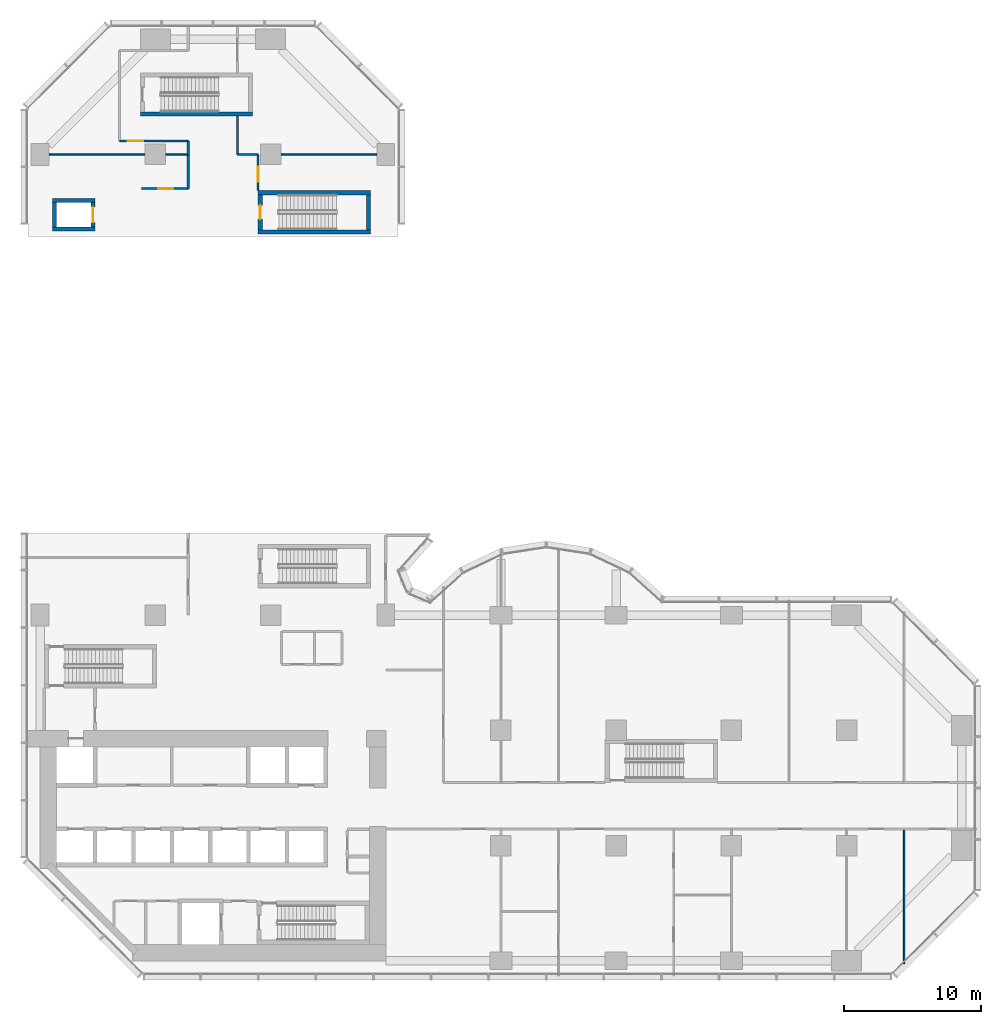
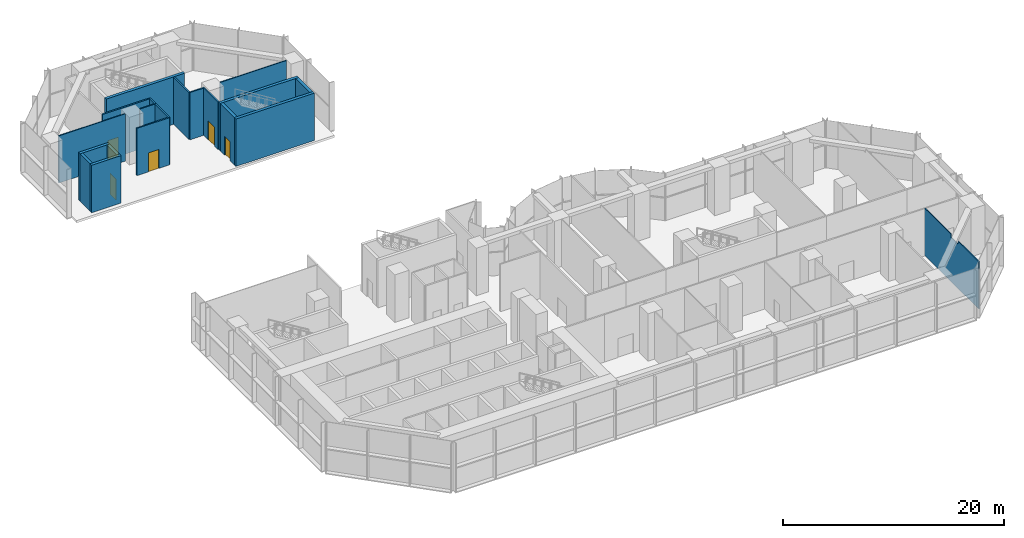
# One storey, part 11 of 16: 20 walls, 5 doors, 5 openings.
"""IFC4 building model written with IfcOpenShell, lengths in metres."""

from ifc_helpers import new_model, si_unit, direction, frame, frame_2d, origin, place, context, subcontext, project, spatial, polyline, rectangle, outline, extrude, material, layer, layer_set, type_object, element, fill, save


model = new_model("IFC4")

# Units and contexts
model_context = context("Model", 3, precision=1e-05, world=origin(), true_north=direction((0.0, 1.0)))
body_context = subcontext(model_context, "Body", "Model", "MODEL_VIEW")
ifc_project = project(units=[si_unit("LENGTHUNIT", "METRE"), si_unit("AREAUNIT", "SQUARE_METRE"), si_unit("VOLUMEUNIT", "CUBIC_METRE"), si_unit("PLANEANGLEUNIT", "RADIAN"), si_unit("MASSUNIT", "GRAM", prefix="KILO")], contexts=[model_context])

# Site, building, storey
site_placement = place(None, origin())
site = spatial("IfcSite", under=ifc_project, at=site_placement, CompositionType="ELEMENT")
building_placement = place(site_placement, origin())
building = spatial("IfcBuilding", under=site, at=building_placement, Name="Brevane Broadcast Tower", CompositionType="ELEMENT")
storey_placement = place(building_placement, frame((0.0, 0.0, 7.0)))
storey = spatial("IfcBuildingStorey", under=building, at=storey_placement, Name="L01", CompositionType="ELEMENT", Elevation=7.0)

# Walls
ifc_material_1 = material(Name="Concrete C80/95", Category="concrete")
ifc_layer_1 = layer(ifc_material_1, 0.300048828125)
ifc_layer_set_1 = layer_set([ifc_layer_1], Name="Core wall 300 mm C80/95")
wall_type_1 = type_object("IfcWallType", Name="Core wall 300 mm C80/95", PredefinedType="SHEAR", material=ifc_layer_set_1)
for number, where, z_axis, x_axis, name in (
    (1, (0.89990234375, 53.35009765625, 0.0), (0.0, 0.0, 1.0), (1.0, 0.0, 0.0), "L01 shaft wall PL1-S"),
    (2, (0.89990234375, 55.449951171875, 0.0), (0.0, 0.0, 1.0), (1.0, 0.0, 0.0), "L01 shaft wall PL1-N"),
):
    element("IfcWall", number, at=place(storey_placement, frame(where, z_axis=z_axis, x_axis=x_axis)), inside=storey, type_object=wall_type_1, Name=name, PredefinedType="SHEAR", context=body_context, shape_type="SweptSolid", body=[
        extrude(rectangle(XDim=3.10009765625, YDim=0.300048828125, at=frame_2d((1.550048828125, 0.0))), origin(), (0.0, 0.0, 1.0), 5.25),
    ])
wall_1_placement = place(storey_placement, frame((1.050048828125, 53.5, 0.0), z_axis=(0.0, 0.0, 1.0), x_axis=(0.0, 1.0, 0.0)))
element("IfcWall", 3, at=wall_1_placement, inside=storey, type_object=wall_type_1, Name="L01 shaft wall PL1-W", PredefinedType="SHEAR", context=body_context, shape_type="SweptSolid", body=[
    extrude(rectangle(XDim=1.800048828125, YDim=0.300048828125, at=frame_2d((0.89990234375, 0.0))), origin(), (0.0, 0.0, 1.0), 5.25),
])

# Wall, opening, door
wall_2_placement = place(storey_placement, frame((3.85009765625, 53.5, 0.0), z_axis=(0.0, 0.0, 1.0), x_axis=(0.0, 1.0, 0.0)))
wall_2 = element("IfcWall", 4, at=wall_2_placement, inside=storey, type_object=wall_type_1, Name="L01 shaft wall PL1-E", PredefinedType="SHEAR", context=body_context, shape_type="SweptSolid", body=[
    extrude(rectangle(XDim=1.800048828125, YDim=0.300048828125, at=frame_2d((0.89990234375, 0.0))), origin(), (0.0, 0.0, 1.0), 5.25),
])
opening_1_placement = place(wall_2_placement, frame((0.35009765625, 0.0, 0.0)))
opening_1 = element("IfcOpeningElement", 5, at=opening_1_placement, cuts=wall_2, Name="Opening LD", PredefinedType="OPENING", context=body_context, shape_type="SweptSolid", body=[
    extrude(rectangle(XDim=1.10009765625, YDim=2.300048828125, at=frame_2d((0.550048828125, 1.14990234375))), frame((0.0, 0.159912109375, 0.0), z_axis=(0.0, -1.0, 0.0), x_axis=(1.0, 0.0, 0.0)), (0.0, 0.0, 1.0), 0.320068359375),
])
ifc_material_2 = material(Name="Stainless steel", Category="steel")
door_type_1 = type_object("IfcDoorType", Name="Lift landing door", OperationType="SLIDING_TO_LEFT", PredefinedType="DOOR", material=ifc_material_2)
door_1_placement = place(opening_1_placement, origin())
door_1 = element("IfcDoor", 6, at=door_1_placement, inside=storey, type_object=door_type_1, Name="Landing door PL1 L01", OperationType="SLIDING_TO_LEFT", OverallHeight=2.300048828125, OverallWidth=1.10009765625, PredefinedType="DOOR", context=body_context, shape_type="SweptSolid", body=[
    extrude(rectangle(XDim=1.10009765625, YDim=2.300048828125, at=frame_2d((0.550048828125, 1.14990234375))), frame((0.0, 0.02490234375, 0.0), z_axis=(0.0, -1.0, 0.0), x_axis=(1.0, 0.0, 0.0)), (0.0, 0.0, 1.0), 0.050048828125),
])
fill(opening_1, door_1)

# Walls
for number, where, z_axis, x_axis, name in (
    (7, (15.89990234375, 53.14990234375, 0.0), (0.0, 0.0, 1.0), (1.0, 0.0, 0.0), "L01 stair wall ST-5-S"),
    (8, (15.89990234375, 56.0, 0.0), (0.0, 0.0, 1.0), (1.0, 0.0, 0.0), "L01 stair wall ST-5-N"),
):
    element("IfcWall", number, at=place(storey_placement, frame(where, z_axis=z_axis, x_axis=x_axis)), inside=storey, type_object=wall_type_1, Name=name, PredefinedType="SHEAR", context=body_context, shape_type="SweptSolid", body=[
        extrude(rectangle(XDim=8.2001953125, YDim=0.300048828125, at=frame_2d((4.10009765625, 0.0))), origin(), (0.0, 0.0, 1.0), 5.25),
    ])

# Wall, opening, door
wall_3_placement = place(storey_placement, frame((16.050048828125, 53.300048828125, 0.0), z_axis=(0.0, 0.0, 1.0), x_axis=(0.0, 1.0, 0.0)))
wall_3 = element("IfcWall", 9, at=wall_3_placement, inside=storey, type_object=wall_type_1, Name="L01 stair wall ST-5-W", PredefinedType="SHEAR", context=body_context, shape_type="SweptSolid", body=[
    extrude(rectangle(XDim=2.550048828125, YDim=0.300048828125, at=frame_2d((1.27490234375, 0.0))), origin(), (0.0, 0.0, 1.0), 5.25),
])
opening_2_placement = place(wall_3_placement, frame((0.77490234375, 0.0, 0.0)))
opening_2 = element("IfcOpeningElement", 10, at=opening_2_placement, cuts=wall_3, Name="Opening L01-K17", PredefinedType="OPENING", context=body_context, shape_type="SweptSolid", body=[
    extrude(rectangle(XDim=1.0, YDim=2.10009765625, at=frame_2d((0.5, 1.050048828125))), frame((0.0, 0.159912109375, 0.0), z_axis=(0.0, -1.0, 0.0), x_axis=(1.0, 0.0, 0.0)), (0.0, 0.0, 1.0), 0.320068359375),
])
ifc_material_3 = material(Name="Steel", Category="steel")
door_type_2 = type_object("IfcDoorType", Name="Stair door 1000 x 2100", OperationType="SINGLE_SWING_LEFT", PredefinedType="DOOR", material=ifc_material_3)
door_2_placement = place(opening_2_placement, origin())
door_2 = element("IfcDoor", 11, at=door_2_placement, inside=storey, type_object=door_type_2, Name="Door L01-K17", OperationType="SINGLE_SWING_LEFT", OverallHeight=2.10009765625, OverallWidth=1.0, PredefinedType="DOOR", context=body_context, shape_type="SweptSolid", body=[
    extrude(rectangle(XDim=1.0, YDim=2.10009765625, at=frame_2d((0.5, 1.050048828125))), frame((0.0, 0.02490234375, 0.0), z_axis=(0.0, -1.0, 0.0), x_axis=(1.0, 0.0, 0.0)), (0.0, 0.0, 1.0), 0.050048828125),
])
fill(opening_2, door_2)

# Walls
wall_4_placement = place(storey_placement, frame((23.949951171875, 53.300048828125, 0.0), z_axis=(0.0, 0.0, 1.0), x_axis=(0.0, 1.0, 0.0)))
element("IfcWall", 12, at=wall_4_placement, inside=storey, type_object=wall_type_1, Name="L01 stair wall ST-5-E", PredefinedType="SHEAR", context=body_context, shape_type="SweptSolid", body=[
    extrude(rectangle(XDim=2.550048828125, YDim=0.300048828125, at=frame_2d((1.27490234375, 0.0))), origin(), (0.0, 0.0, 1.0), 5.25),
])
wall_5_placement = place(storey_placement, frame((7.300048828125, 61.75, 0.0), z_axis=(0.0, 0.0, 1.0), x_axis=(1.0, 0.0, 0.0)))
element("IfcWall", 13, at=wall_5_placement, inside=storey, type_object=wall_type_1, Name="L01 stair wall ST-6-S", PredefinedType="SHEAR", context=body_context, shape_type="SweptSolid", body=[
    extrude(rectangle(XDim=8.199951171875, YDim=0.300048828125, at=frame_2d((4.10009765625, 0.0))), origin(), (0.0, 0.0, 1.0), 5.25),
])
ifc_material_4 = material(Name="Gypsum board partition")
ifc_layer_2 = layer(ifc_material_4, 0.10009765625)
ifc_layer_set_2 = layer_set([ifc_layer_2], Name="PARTITION 100 STUD")
wall_type_2 = type_object("IfcWallType", Name="PARTITION 100 STUD", PredefinedType="PARTITIONING", material=ifc_layer_set_2)
wall_6_placement = place(storey_placement, frame((63.0, 9.60009765625, 0.0), z_axis=(0.0, 0.0, 1.0), x_axis=(0.0, -1.0, 0.0)))
element("IfcWall", 14, at=wall_6_placement, inside=storey, type_object=wall_type_2, Name="Partition P1-035", PredefinedType="PARTITIONING", context=body_context, shape_type="SweptSolid", body=[
    extrude(outline(polyline([(0.0, 0.0), (9.800048828125, 0.0), (9.800048828125, 5.22998046875), (6.065673828125, 5.22998046875), (6.063720703125, 4.8798828125), (4.736328125, 4.8798828125), (4.734375, 5.22998046875), (0.0, 5.22998046875), (0.0, 0.0)])), frame((0.0, 0.050048828125, 0.0), z_axis=(0.0, -1.0, 0.0), x_axis=(1.0, 0.0, 0.0)), (0.0, 0.0, 1.0), 0.10009765625),
])
wall_7_placement = place(storey_placement, frame((0.669921875, 58.800048828125, 0.0), z_axis=(0.0, 0.0, 1.0), x_axis=(1.0, 0.0, 0.0)))
element("IfcWall", 15, at=wall_7_placement, inside=storey, type_object=wall_type_2, Name="Partition P1-054", PredefinedType="PARTITIONING", context=body_context, shape_type="SweptSolid", body=[
    extrude(rectangle(XDim=6.9599609375, YDim=0.10009765625, at=frame_2d((3.47998046875, 0.0))), origin(), (0.0, 0.0, 1.0), 5.22998046875),
])
wall_8_placement = place(storey_placement, frame((9.169921875, 58.800048828125, 0.0), z_axis=(0.0, 0.0, 1.0), x_axis=(1.0, 0.0, 0.0)))
element("IfcWall", 16, at=wall_8_placement, inside=storey, type_object=wall_type_2, Name="Partition P1-055", PredefinedType="PARTITIONING", context=body_context, shape_type="SweptSolid", body=[
    extrude(rectangle(XDim=1.630126953125, YDim=0.10009765625, at=frame_2d((0.81494140625, 0.0))), origin(), (0.0, 0.0, 1.0), 5.22998046875),
])
wall_9_placement = place(storey_placement, frame((17.570068359375, 58.800048828125, 0.0), z_axis=(0.0, 0.0, 1.0), x_axis=(1.0, 0.0, 0.0)))
element("IfcWall", 17, at=wall_9_placement, inside=storey, type_object=wall_type_2, Name="Partition P1-057", PredefinedType="PARTITIONING", context=body_context, shape_type="SweptSolid", body=[
    extrude(rectangle(XDim=6.9599609375, YDim=0.10009765625, at=frame_2d((3.47998046875, 0.0))), origin(), (0.0, 0.0, 1.0), 5.22998046875),
])
ifc_layer_3 = layer(ifc_material_4, 0.14990234375)
ifc_layer_set_3 = layer_set([ifc_layer_3], Name="PARTITION 150 EI 60")
wall_type_3 = type_object("IfcWallType", Name="PARTITION 150 EI 60", PredefinedType="PARTITIONING", material=ifc_layer_set_3)
wall_10_placement = place(storey_placement, frame((10.800048828125, 56.300048828125, 0.0), z_axis=(0.0, 0.0, 1.0), x_axis=(0.0, 1.0, 0.0)))
element("IfcWall", 18, at=wall_10_placement, inside=storey, type_object=wall_type_3, Name="Partition P1-044", PredefinedType="PARTITIONING", context=body_context, shape_type="SweptSolid", body=[
    extrude(rectangle(XDim=2.5, YDim=0.14990234375, at=frame_2d((1.25, 0.0))), origin(), (0.0, 0.0, 1.0), 5.22998046875),
])

# Wall, opening, door
wall_11_placement = place(storey_placement, frame((15.89990234375, 58.800048828125, 0.0), z_axis=(0.0, 0.0, 1.0), x_axis=(0.0, -1.0, 0.0)))
wall_11 = element("IfcWall", 19, at=wall_11_placement, inside=storey, type_object=wall_type_3, Name="Partition P1-045", PredefinedType="PARTITIONING", context=body_context, shape_type="SweptSolid", body=[
    extrude(rectangle(XDim=2.650146484375, YDim=0.14990234375, at=frame_2d((1.3251953125, 0.0))), origin(), (0.0, 0.0, 1.0), 5.22998046875),
])
opening_3_placement = place(wall_11_placement, frame((0.89990234375, 0.0, 0.0)))
opening_3 = element("IfcOpeningElement", 20, at=opening_3_placement, cuts=wall_11, Name="Opening D02-020", PredefinedType="OPENING", context=body_context, shape_type="SweptSolid", body=[
    extrude(rectangle(XDim=1.10009765625, YDim=2.10009765625, at=frame_2d((0.550048828125, 1.050048828125))), frame((0.0, 0.0849609375, 0.0), z_axis=(0.0, -1.0, 0.0), x_axis=(1.0, 0.0, 0.0)), (0.0, 0.0, 1.0), 0.169921875),
])
ifc_material_5 = material(Name="Fire-rated timber door leaf", Category="wood")
door_type_3 = type_object("IfcDoorType", Name="DOOR SINGLE 1100 FD30S", OperationType="SINGLE_SWING_LEFT", PredefinedType="DOOR", material=ifc_material_5)
door_3_placement = place(opening_3_placement, origin())
door_3 = element("IfcDoor", 21, at=door_3_placement, inside=storey, type_object=door_type_3, Name="Door D02-020", OperationType="SINGLE_SWING_LEFT", OverallHeight=2.10009765625, OverallWidth=1.10009765625, PredefinedType="DOOR", context=body_context, shape_type="SweptSolid", body=[
    extrude(rectangle(XDim=1.10009765625, YDim=2.10009765625, at=frame_2d((0.550048828125, 1.050048828125))), frame((0.0, 0.02490234375, 0.0), z_axis=(0.0, -1.0, 0.0), x_axis=(1.0, 0.0, 0.0)), (0.0, 0.0, 1.0), 0.050048828125),
])
fill(opening_3, door_3)

# Wall
wall_12_placement = place(storey_placement, frame((14.39990234375, 58.800048828125, 0.0), z_axis=(0.0, 0.0, 1.0), x_axis=(1.0, 0.0, 0.0)))
element("IfcWall", 22, at=wall_12_placement, inside=storey, type_object=wall_type_3, Name="Partition P1-046", PredefinedType="PARTITIONING", context=body_context, shape_type="SweptSolid", body=[
    extrude(rectangle(XDim=1.5, YDim=0.14990234375, at=frame_2d((0.75, 0.0))), origin(), (0.0, 0.0, 1.0), 5.22998046875),
])

# Wall, opening, door
wall_13_placement = place(storey_placement, frame((10.800048828125, 59.77490234375, 0.0), z_axis=(0.0, 0.0, 1.0), x_axis=(-1.0, 0.0, 0.0)))
wall_13 = element("IfcWall", 23, at=wall_13_placement, inside=storey, type_object=wall_type_3, Name="Partition P1-047", PredefinedType="PARTITIONING", context=body_context, shape_type="SweptSolid", body=[
    extrude(rectangle(XDim=5.0, YDim=0.14990234375, at=frame_2d((2.5, 0.0))), origin(), (0.0, 0.0, 1.0), 5.22998046875),
])
opening_4_placement = place(wall_13_placement, frame((3.300048828125, 0.0, 0.0)))
opening_4 = element("IfcOpeningElement", 24, at=opening_4_placement, cuts=wall_13, Name="Opening D02-019", PredefinedType="OPENING", context=body_context, shape_type="SweptSolid", body=[
    extrude(rectangle(XDim=1.10009765625, YDim=2.10009765625, at=frame_2d((0.550048828125, 1.050048828125))), frame((0.0, 0.0849609375, 0.0), z_axis=(0.0, -1.0, 0.0), x_axis=(1.0, 0.0, 0.0)), (0.0, 0.0, 1.0), 0.169921875),
])
door_4_placement = place(opening_4_placement, origin())
door_4 = element("IfcDoor", 25, at=door_4_placement, inside=storey, type_object=door_type_3, Name="Door D02-019", OperationType="SINGLE_SWING_LEFT", OverallHeight=2.10009765625, OverallWidth=1.10009765625, PredefinedType="DOOR", context=body_context, shape_type="SweptSolid", body=[
    extrude(rectangle(XDim=1.10009765625, YDim=2.10009765625, at=frame_2d((0.550048828125, 1.050048828125))), frame((0.0, 0.02490234375, 0.0), z_axis=(0.0, -1.0, 0.0), x_axis=(1.0, 0.0, 0.0)), (0.0, 0.0, 1.0), 0.050048828125),
])
fill(opening_4, door_4)

wall_14_placement = place(storey_placement, frame((7.39990234375, 56.300048828125, 0.0), z_axis=(0.0, 0.0, 1.0), x_axis=(1.0, 0.0, 0.0)))
wall_14 = element("IfcWall", 26, at=wall_14_placement, inside=storey, type_object=wall_type_3, Name="Partition P1-050", PredefinedType="PARTITIONING", context=body_context, shape_type="SweptSolid", body=[
    extrude(rectangle(XDim=3.400146484375, YDim=0.14990234375, at=frame_2d((1.7001953125, 0.0))), origin(), (0.0, 0.0, 1.0), 5.22998046875),
])
opening_5_placement = place(wall_14_placement, frame((1.199951171875, 0.0, 0.0)))
opening_5 = element("IfcOpeningElement", 27, at=opening_5_placement, cuts=wall_14, Name="Opening D02-018", PredefinedType="OPENING", context=body_context, shape_type="SweptSolid", body=[
    extrude(rectangle(XDim=1.10009765625, YDim=2.10009765625, at=frame_2d((0.550048828125, 1.050048828125))), frame((0.0, 0.0849609375, 0.0), z_axis=(0.0, -1.0, 0.0), x_axis=(1.0, 0.0, 0.0)), (0.0, 0.0, 1.0), 0.169921875),
])
door_5_placement = place(opening_5_placement, origin())
door_5 = element("IfcDoor", 28, at=door_5_placement, inside=storey, type_object=door_type_3, Name="Door D02-018", OperationType="SINGLE_SWING_LEFT", OverallHeight=2.10009765625, OverallWidth=1.10009765625, PredefinedType="DOOR", context=body_context, shape_type="SweptSolid", body=[
    extrude(rectangle(XDim=1.10009765625, YDim=2.10009765625, at=frame_2d((0.550048828125, 1.050048828125))), frame((0.0, 0.02490234375, 0.0), z_axis=(0.0, -1.0, 0.0), x_axis=(1.0, 0.0, 0.0)), (0.0, 0.0, 1.0), 0.050048828125),
])
fill(opening_5, door_5)

# Walls
wall_15_placement = place(storey_placement, frame((10.800048828125, 59.77490234375, 0.0), z_axis=(0.0, 0.0, 1.0), x_axis=(0.0, -1.0, 0.0)))
element("IfcWall", 29, at=wall_15_placement, inside=storey, type_object=wall_type_3, Name="Partition P1-056", PredefinedType="PARTITIONING", context=body_context, shape_type="SweptSolid", body=[
    extrude(rectangle(XDim=0.974853515625, YDim=0.14990234375, at=frame_2d((0.4873046875, 0.0))), origin(), (0.0, 0.0, 1.0), 5.22998046875),
])
wall_16_placement = place(storey_placement, frame((14.39990234375, 58.800048828125, 0.0), z_axis=(0.0, 0.0, 1.0), x_axis=(0.0, 1.0, 0.0)))
element("IfcWall", 30, at=wall_16_placement, inside=storey, type_object=wall_type_3, Name="Partition P1-058", PredefinedType="PARTITIONING", context=body_context, shape_type="SweptSolid", body=[
    extrude(rectangle(XDim=2.800048828125, YDim=0.14990234375, at=frame_2d((1.39990234375, 0.0))), origin(), (0.0, 0.0, 1.0), 5.22998046875),
])

save(model, "model.ifc")
